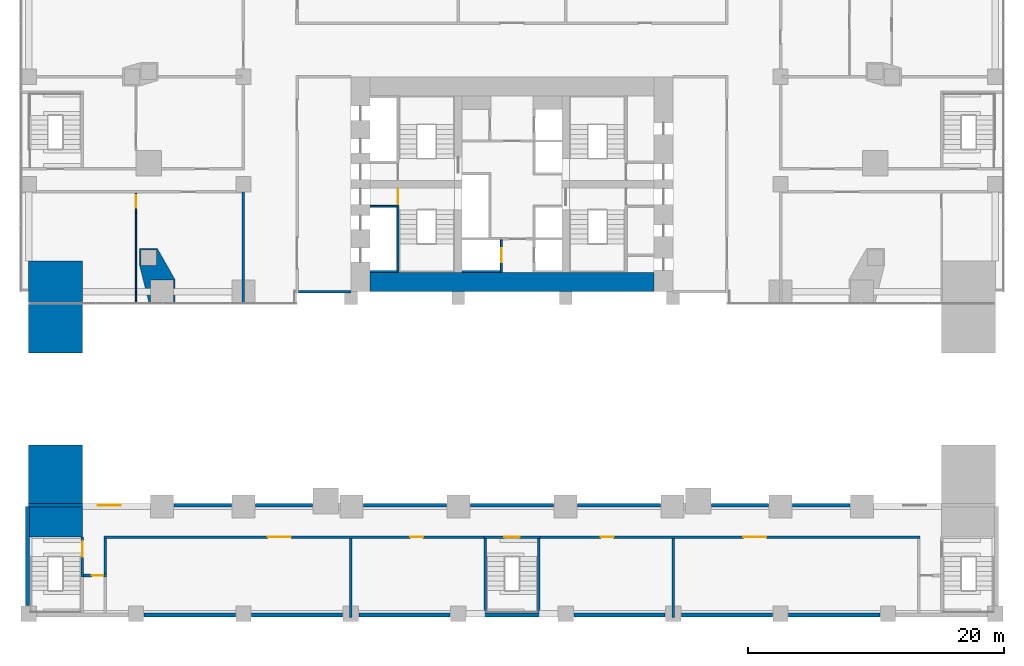
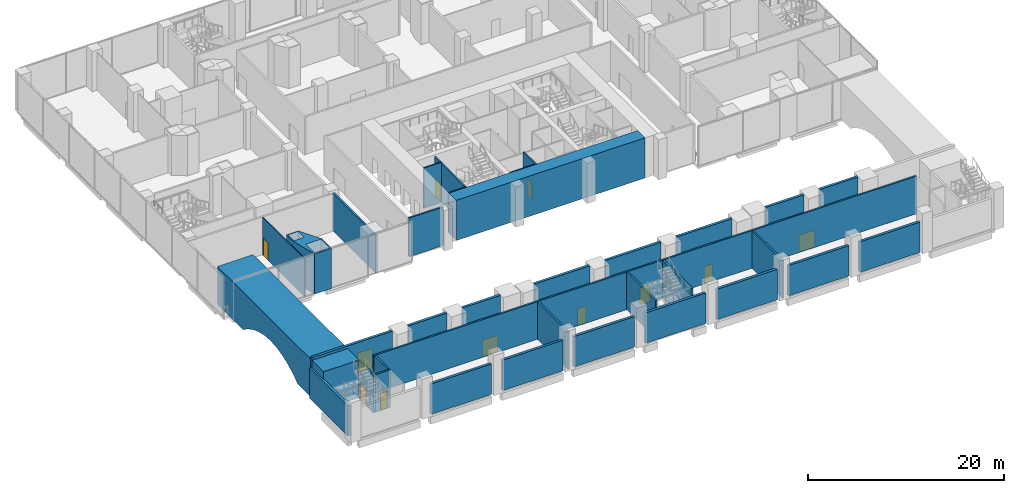
# One storey, part 16 of 28: 37 walls, 10 doors, 1 window, 11 openings.
"""IFC4 building model written with IfcOpenShell, lengths in metres."""

import ifcopenshell
import ifcopenshell.guid

model = None  # the IFC model being written
_history = None  # IfcOwnerHistory: only IFC2X3 demands one
_inside = {}  # id of a spatial element -> (the spatial element, [elements in it])
_under = {}  # id of a project, library or spatial element -> (it, [spatial elements below it])
_declared = {}  # id of a project -> (the project, [libraries it declares])
_typed = {}  # id of a type object -> (the type object, [elements of that type])
_made_of = {}  # id of a material, layer set ... -> (it, [elements and type objects made of it])


def new_model(schema):
    """Start an empty IFC model of exactly this schema.

    Asked for "IFC4X3", IfcOpenShell would pick the latest addendum, in which some entities
    have other attributes; the version numbers below select the first issue.
    IFC2X3 requires an IfcOwnerHistory on every rooted entity: one is made here for all.
    """
    global model, _history
    if schema == "IFC4X3":
        model = ifcopenshell.file(schema_version=(4, 3, 0, 0))
    else:
        model = ifcopenshell.file(schema=schema)
    _inside.clear()
    _under.clear()
    _declared.clear()
    _typed.clear()
    _made_of.clear()
    _history = None
    if model.schema == "IFC2X3":
        org = make("IfcOrganization", Name="unknown")
        user = make(
            "IfcPersonAndOrganization",
            ThePerson=make("IfcPerson", FamilyName="unknown"),
            TheOrganization=org,
        )
        app = make(
            "IfcApplication",
            ApplicationDeveloper=org,
            Version="unknown",
            ApplicationFullName="unknown",
            ApplicationIdentifier="unknown",
        )
        _history = make(
            "IfcOwnerHistory",
            OwningUser=user,
            OwningApplication=app,
            ChangeAction="ADDED",
            CreationDate=0,
        )
    return model


def make(cls, **values):
    """One entity of the class cls with the attributes given. An attribute that is None is left unset."""
    return model.create_entity(
        cls, **{name: value for name, value in values.items() if value is not None}
    )


def rooted(cls, **values):
    """An entity with a GlobalId (a new one), such as an element, a storey or a relation."""
    return make(cls, GlobalId=ifcopenshell.guid.new(), OwnerHistory=_history, **values)


def si_unit(unit_type, name, prefix=None):
    """IfcSIUnit, for example si_unit("LENGTHUNIT", "METRE", prefix="MILLI")."""
    return make("IfcSIUnit", UnitType=unit_type, Prefix=prefix, Name=name)


def assignment(units):
    """IfcUnitAssignment: the units of a project."""
    return None if units is None else make("IfcUnitAssignment", Units=units)


def point(xyz):
    """IfcCartesianPoint."""
    return None if xyz is None else make("IfcCartesianPoint", Coordinates=xyz)


def direction(xyz):
    """IfcDirection."""
    return None if xyz is None else make("IfcDirection", DirectionRatios=xyz)


def frame(location, z_axis=None, x_axis=None):
    """IfcAxis2Placement3D, a coordinate frame: its origin and axes. An axis left out is left unset."""
    return make(
        "IfcAxis2Placement3D",
        Location=point(location),
        Axis=direction(z_axis),
        RefDirection=direction(x_axis),
    )


def frame_2d(location, x_axis=None):
    """IfcAxis2Placement2D, a coordinate frame in the plane: its origin and x axis."""
    return make(
        "IfcAxis2Placement2D", Location=point(location), RefDirection=direction(x_axis)
    )


def origin():
    """The frame at (0, 0, 0) with its axes left unset."""
    return frame((0.0, 0.0, 0.0))


def place(relative_to, where):
    """IfcLocalPlacement: puts the frame where relative to a parent placement (None: the world)."""
    return make(
        "IfcLocalPlacement", PlacementRelTo=relative_to, RelativePlacement=where
    )


def context(
    kind, dimensions, precision=None, world=None, true_north=None, identifier=None
):
    """IfcGeometricRepresentationContext, for example the 3D "Model" context."""
    return make(
        "IfcGeometricRepresentationContext",
        ContextIdentifier=identifier,
        ContextType=kind,
        CoordinateSpaceDimension=dimensions,
        Precision=precision,
        WorldCoordinateSystem=world,
        TrueNorth=true_north,
    )


def subcontext(parent, identifier, kind, view, scale=None):
    """IfcGeometricRepresentationSubContext, for example "Body" below "Model"."""
    return make(
        "IfcGeometricRepresentationSubContext",
        ContextIdentifier=identifier,
        ContextType=kind,
        ParentContext=parent,
        TargetScale=scale,
        TargetView=view,
    )


def project(units=None, contexts=None):
    """IfcProject with its units and contexts."""
    return rooted(
        "IfcProject",
        Name="project",
        RepresentationContexts=contexts,
        UnitsInContext=assignment(units),
    )


def spatial(cls, under=None, at=None, **own):
    """A site, building, storey or space (cls), placed at a placement, below another one or the project."""
    s = rooted(cls, ObjectPlacement=at, **own)
    if under is not None:
        _under.setdefault(under.id(), (under, []))[1].append(s)
    return s


def polyline(points):
    """IfcPolyline through the points."""
    return make("IfcPolyline", Points=[point(p) for p in points])


def profile(cls, at=None, kind="AREA", **sizes):
    """A parametric profile (cls). Its sizes go by their IFC names, for example OverallWidth=200.0."""
    return make(cls, ProfileType=kind, Position=at, **sizes)


def rectangle(**sizes):
    """IfcRectangleProfileDef."""
    return profile("IfcRectangleProfileDef", **sizes)


def outline(outer, holes=None, kind="AREA"):
    """IfcArbitraryClosedProfileDef: a profile drawn as a closed curve; with holes, ...WithVoids."""
    if holes is None:
        return make("IfcArbitraryClosedProfileDef", ProfileType=kind, OuterCurve=outer)
    return make(
        "IfcArbitraryProfileDefWithVoids",
        ProfileType=kind,
        OuterCurve=outer,
        InnerCurves=holes,
    )


def extrude(swept, where, along, depth):
    """IfcExtrudedAreaSolid: the profile swept, set in the frame where, extruded along a direction by depth."""
    return make(
        "IfcExtrudedAreaSolid",
        SweptArea=swept,
        Position=where,
        ExtrudedDirection=direction(along),
        Depth=depth,
    )


def shape(context_of_items, identifier, shape_type, items):
    """IfcShapeRepresentation: the items that make up one representation, for example the "Body"."""
    return make(
        "IfcShapeRepresentation",
        ContextOfItems=context_of_items,
        RepresentationIdentifier=identifier,
        RepresentationType=shape_type,
        Items=items,
    )


def material(Name=None, Category=None):
    """IfcMaterial."""
    return make("IfcMaterial", Name=Name, Category=Category)


def layer(
    of_material, thickness, ventilated=None, Name=None, Category=None, Priority=None
):
    """IfcMaterialLayer: one layer of a wall or slab, of a material (None: an air gap)."""
    return make(
        "IfcMaterialLayer",
        Material=of_material,
        LayerThickness=thickness,
        IsVentilated=ventilated,
        Name=Name,
        Category=Category,
        Priority=Priority,
    )


def layer_set(layers, Name=None):
    """IfcMaterialLayerSet."""
    return make("IfcMaterialLayerSet", MaterialLayers=layers, LayerSetName=Name)


def made_of(thing, what):
    """Note that an element or type object is made of a material, layer set ...; save() writes the relation."""
    if what is not None:
        _made_of.setdefault(what.id(), (what, []))[1].append(thing)
    return thing


def type_object(cls, material=None, **own):
    """A type object (cls), such as IfcWallType, which elements share."""
    return made_of(rooted(cls, **own), material)


def element(
    cls,
    number,
    at=None,
    inside=None,
    cuts=None,
    type_object=None,
    material=None,
    context=None,
    identifier="Body",
    shape_type=None,
    held_by="IfcProductDefinitionShape",
    body=None,
    shapes=None,
    **own,
):
    """One element of the class cls, such as IfcWall. Its Tag is "e" and its number.

    at: its placement. inside: the storey or other place that contains it. cuts: it is an
    opening in that element (IfcRelVoidsElement). A single representation is given by context,
    identifier, shape_type and body (its items); several are given by shapes. held_by: the class
    of the entity that holds the representations. save() writes the other relations.
    """
    e = rooted(cls, Tag="e%d" % number, ObjectPlacement=at, **own)
    if body is not None:
        shapes = [shape(context, identifier, shape_type, body)]
    if shapes is not None:
        e.Representation = make(held_by, Representations=shapes)
    if inside is not None:
        _inside.setdefault(inside.id(), (inside, []))[1].append(e)
    if cuts is not None:
        rooted(
            "IfcRelVoidsElement", RelatingBuildingElement=cuts, RelatedOpeningElement=e
        )
    if type_object is not None:
        _typed.setdefault(type_object.id(), (type_object, []))[1].append(e)
    return made_of(e, material)


def fill(opening, filler):
    """IfcRelFillsElement: the door or window that sits in an opening."""
    return rooted(
        "IfcRelFillsElement",
        RelatingOpeningElement=opening,
        RelatedBuildingElement=filler,
    )


def aggregate(whole, parts):
    """IfcRelAggregates: a whole, such as a stair, and the parts it consists of."""
    return rooted("IfcRelAggregates", RelatingObject=whole, RelatedObjects=parts)


def save(model, path):
    """Write the relations noted so far, then the file.

    IfcRelAggregates (storeys below a building ...), IfcRelContainedInSpatialStructure (elements
    in a storey), IfcRelDefinesByType, IfcRelAssociatesMaterial and IfcRelDeclares: one each for
    every whole, place, type object, material and project.
    """
    for whole, parts in _under.values():
        aggregate(whole, parts)
    for where, things in _inside.values():
        rooted(
            "IfcRelContainedInSpatialStructure",
            RelatedElements=things,
            RelatingStructure=where,
        )
    for kind, things in _typed.values():
        rooted("IfcRelDefinesByType", RelatedObjects=things, RelatingType=kind)
    for what, things in _made_of.values():
        rooted("IfcRelAssociatesMaterial", RelatedObjects=things, RelatingMaterial=what)
    for by, libraries in _declared.values():
        rooted("IfcRelDeclares", RelatingContext=by, RelatedDefinitions=libraries)
    model.write(path)


model = new_model("IFC4")

# Units and contexts
model_context = context("Model", 3, precision=1e-05, world=origin(), true_north=direction((0.0, 1.0)))
body_context = subcontext(model_context, "Body", "Model", "MODEL_VIEW")
ifc_project = project(units=[si_unit("LENGTHUNIT", "METRE"), si_unit("AREAUNIT", "SQUARE_METRE"), si_unit("VOLUMEUNIT", "CUBIC_METRE"), si_unit("PLANEANGLEUNIT", "RADIAN"), si_unit("MASSUNIT", "GRAM", prefix="KILO")], contexts=[model_context])

# Site, building, storey
site_placement = place(None, origin())
site = spatial("IfcSite", under=ifc_project, at=site_placement, CompositionType="ELEMENT")
building_placement = place(site_placement, origin())
building = spatial("IfcBuilding", under=site, at=building_placement, Name="Marenta Gate Hotel Tower", CompositionType="ELEMENT")
storey_placement = place(building_placement, frame((0.0, 0.0, 26.0)))
storey = spatial("IfcBuildingStorey", under=building, at=storey_placement, Name="L04", CompositionType="ELEMENT", Elevation=26.0)

# Walls
ifc_material_1 = material(Name="Concrete C40 board-marked", Category="concrete")
ifc_layer_1 = layer(ifc_material_1, 0.300048828125)
ifc_layer_set_1 = layer_set([ifc_layer_1], Name="Concrete C40 board-marked")
wall_type_1 = type_object("IfcWallType", Name="Board-marked concrete wall 300 mm", PredefinedType="NOTDEFINED", material=ifc_layer_set_1)
for number, where, z_axis, x_axis, name in (
    (1, (-28.760009765625, -25.2900390625, 0.0), (0.0, 0.0, 1.0), (1.0, 0.0, 0.0), "L04-CLD-SB-S001"),
    (2, (-20.360107421875, -25.2900390625, 0.0), (0.0, 0.0, 1.0), (1.0, 0.0, 0.0), "L04-CLD-SB-S002"),
):
    element("IfcWall", number, at=place(storey_placement, frame(where, z_axis=z_axis, x_axis=x_axis)), inside=storey, type_object=wall_type_1, Name=name, PredefinedType="NOTDEFINED", context=body_context, shape_type="SweptSolid", body=[
        extrude(rectangle(XDim=7.1201171875, YDim=0.300048828125, at=frame_2d((3.56005859375, 0.0))), origin(), (0.0, 0.0, 1.0), 3.780029296875),
    ])
wall_1_placement = place(storey_placement, frame((-11.9599609375, -25.2900390625, 0.0), z_axis=(0.0, 0.0, 1.0), x_axis=(1.0, 0.0, 0.0)))
element("IfcWall", 3, at=wall_1_placement, inside=storey, type_object=wall_type_1, Name="L04-CLD-SB-S003", PredefinedType="NOTDEFINED", context=body_context, shape_type="SweptSolid", body=[
    extrude(rectangle(XDim=7.119873046875, YDim=0.300048828125, at=frame_2d((3.56005859375, 0.0))), origin(), (0.0, 0.0, 1.0), 3.780029296875),
])
wall_2_placement = place(storey_placement, frame((-3.56005859375, -25.2900390625, 0.0), z_axis=(0.0, 0.0, 1.0), x_axis=(1.0, 0.0, 0.0)))
element("IfcWall", 4, at=wall_2_placement, inside=storey, type_object=wall_type_1, Name="L04-CLD-SB-S004", PredefinedType="NOTDEFINED", context=body_context, shape_type="SweptSolid", body=[
    extrude(rectangle(XDim=7.1201171875, YDim=0.300048828125, at=frame_2d((3.56005859375, 0.0))), origin(), (0.0, 0.0, 1.0), 3.780029296875),
])
wall_3_placement = place(storey_placement, frame((4.840087890625, -25.2900390625, 0.0), z_axis=(0.0, 0.0, 1.0), x_axis=(1.0, 0.0, 0.0)))
element("IfcWall", 5, at=wall_3_placement, inside=storey, type_object=wall_type_1, Name="L04-CLD-SB-S005", PredefinedType="NOTDEFINED", context=body_context, shape_type="SweptSolid", body=[
    extrude(rectangle(XDim=7.119873046875, YDim=0.300048828125, at=frame_2d((3.56005859375, 0.0))), origin(), (0.0, 0.0, 1.0), 3.780029296875),
])
for number, where, z_axis, x_axis, name in (
    (6, (13.239990234375, -25.2900390625, 0.0), (0.0, 0.0, 1.0), (1.0, 0.0, 0.0), "L04-CLD-SB-S006"),
    (7, (21.639892578125, -25.2900390625, 0.0), (0.0, 0.0, 1.0), (1.0, 0.0, 0.0), "L04-CLD-SB-S007"),
):
    element("IfcWall", number, at=place(storey_placement, frame(where, z_axis=z_axis, x_axis=x_axis)), inside=storey, type_object=wall_type_1, Name=name, PredefinedType="NOTDEFINED", context=body_context, shape_type="SweptSolid", body=[
        extrude(rectangle(XDim=7.1201171875, YDim=0.300048828125, at=frame_2d((3.56005859375, 0.0))), origin(), (0.0, 0.0, 1.0), 3.780029296875),
    ])
wall_4_placement = place(storey_placement, frame((26.423095703125, -16.7099609375, 0.0), z_axis=(0.0, 0.0, 1.0), x_axis=(-1.0, 0.0, 0.0)))
element("IfcWall", 8, at=wall_4_placement, inside=storey, type_object=wall_type_1, Name="L04-CLD-SB-N001", PredefinedType="NOTDEFINED", context=body_context, shape_type="SweptSolid", body=[
    extrude(rectangle(XDim=4.483154296875, YDim=0.300048828125, at=frame_2d((2.24169921875, 0.0))), origin(), (0.0, 0.0, 1.0), 5.0),
])
wall_5_placement = place(storey_placement, frame((20.06005859375, -16.7099609375, 0.0), z_axis=(0.0, 0.0, 1.0), x_axis=(-1.0, 0.0, 0.0)))
element("IfcWall", 9, at=wall_5_placement, inside=storey, type_object=wall_type_1, Name="L04-CLD-SB-N002", PredefinedType="NOTDEFINED", context=body_context, shape_type="SweptSolid", body=[
    extrude(rectangle(XDim=4.453857421875, YDim=0.300048828125, at=frame_2d((2.22705078125, 0.0))), origin(), (0.0, 0.0, 1.0), 5.0),
])
wall_6_placement = place(storey_placement, frame((11.606201171875, -16.7099609375, 0.0), z_axis=(0.0, 0.0, 1.0), x_axis=(-1.0, 0.0, 0.0)))
element("IfcWall", 10, at=wall_6_placement, inside=storey, type_object=wall_type_1, Name="L04-CLD-SB-N003", PredefinedType="NOTDEFINED", context=body_context, shape_type="SweptSolid", body=[
    extrude(rectangle(XDim=6.46630859375, YDim=0.300048828125, at=frame_2d((3.233154296875, 0.0))), origin(), (0.0, 0.0, 1.0), 5.0),
])
wall_7_placement = place(storey_placement, frame((3.260009765625, -16.7099609375, 0.0), z_axis=(0.0, 0.0, 1.0), x_axis=(-1.0, 0.0, 0.0)))
element("IfcWall", 11, at=wall_7_placement, inside=storey, type_object=wall_type_1, Name="L04-CLD-SB-N004", PredefinedType="NOTDEFINED", context=body_context, shape_type="SweptSolid", body=[
    extrude(rectangle(XDim=6.52001953125, YDim=0.300048828125, at=frame_2d((3.260009765625, 0.0))), origin(), (0.0, 0.0, 1.0), 5.0),
])
wall_8_placement = place(storey_placement, frame((-5.139892578125, -16.7099609375, 0.0), z_axis=(0.0, 0.0, 1.0), x_axis=(-1.0, 0.0, 0.0)))
element("IfcWall", 12, at=wall_8_placement, inside=storey, type_object=wall_type_1, Name="L04-CLD-SB-N005", PredefinedType="NOTDEFINED", context=body_context, shape_type="SweptSolid", body=[
    extrude(rectangle(XDim=6.46630859375, YDim=0.300048828125, at=frame_2d((3.233154296875, 0.0))), origin(), (0.0, 0.0, 1.0), 5.0),
])
wall_9_placement = place(storey_placement, frame((-15.606201171875, -16.7099609375, 0.0), z_axis=(0.0, 0.0, 1.0), x_axis=(-1.0, 0.0, 0.0)))
element("IfcWall", 13, at=wall_9_placement, inside=storey, type_object=wall_type_1, Name="L04-CLD-SB-N006", PredefinedType="NOTDEFINED", context=body_context, shape_type="SweptSolid", body=[
    extrude(rectangle(XDim=4.453857421875, YDim=0.300048828125, at=frame_2d((2.22705078125, 0.0))), origin(), (0.0, 0.0, 1.0), 5.0),
])
wall_10_placement = place(storey_placement, frame((-21.93994140625, -16.7099609375, 0.0), z_axis=(0.0, 0.0, 1.0), x_axis=(-1.0, 0.0, 0.0)))
element("IfcWall", 14, at=wall_10_placement, inside=storey, type_object=wall_type_1, Name="L04-CLD-SB-N007", PredefinedType="NOTDEFINED", context=body_context, shape_type="SweptSolid", body=[
    extrude(rectangle(XDim=4.483154296875, YDim=0.300048828125, at=frame_2d((2.24169921875, 0.0))), origin(), (0.0, 0.0, 1.0), 5.0),
])

# Wall, opening, window
wall_11_placement = place(storey_placement, frame((-28.302978515625, -16.7099609375, 0.0), z_axis=(0.0, 0.0, 1.0), x_axis=(-1.0, 0.0, 0.0)))
wall_11 = element("IfcWall", 15, at=wall_11_placement, inside=storey, type_object=wall_type_1, Name="L04-CLD-SB-N008", PredefinedType="NOTDEFINED", context=body_context, shape_type="SweptSolid", body=[
    extrude(rectangle(XDim=9.4970703125, YDim=0.300048828125, at=frame_2d((4.74853515625, 0.0))), origin(), (0.0, 0.0, 1.0), 5.0),
])
opening_1_placement = place(wall_11_placement, frame((2.297119140625, 0.0, 1.199951171875)))
opening_1 = element("IfcOpeningElement", 16, at=opening_1_placement, cuts=wall_11, Name="Opening W5", PredefinedType="OPENING", context=body_context, shape_type="SweptSolid", body=[
    extrude(rectangle(XDim=1.800048828125, YDim=2.39990234375, at=frame_2d((0.89990234375, 1.199951171875))), frame((0.0, 0.14990234375, 0.0), z_axis=(0.0, -1.0, 0.0), x_axis=(1.0, 0.0, 0.0)), (0.0, 0.0, 1.0), 0.300048828125),
])
ifc_material_2 = material(Name="Tinted insulated glass in bronze anodised frame", Category="glass")
window_type = type_object("IfcWindowType", Name="Window W5 1800x2400 bronze frame", PartitioningType="SINGLE_PANEL", PredefinedType="WINDOW", material=ifc_material_2)
window_placement = place(opening_1_placement, origin())
window = element("IfcWindow", 17, at=window_placement, inside=storey, type_object=window_type, Name="Window W5", OverallHeight=2.39990234375, OverallWidth=1.800048828125, PartitioningType="SINGLE_PANEL", PredefinedType="WINDOW", context=body_context, shape_type="SweptSolid", body=[
    extrude(rectangle(XDim=1.800048828125, YDim=2.39990234375, at=frame_2d((0.89990234375, 1.199951171875))), frame((0.0, 0.030029296875, 0.0), z_axis=(0.0, -1.0, 0.0), x_axis=(1.0, 0.0, 0.0)), (0.0, 0.0, 1.0), 0.06005859375),
])
fill(opening_1, window)

# Walls
wall_12_placement = place(storey_placement, frame((-37.889892578125, -16.800048828125, 0.0), z_axis=(0.0, 0.0, 1.0), x_axis=(0.0, -1.0, 0.0)))
element("IfcWall", 18, at=wall_12_placement, inside=storey, type_object=wall_type_1, Name="L04-CLD-SB-W000", PredefinedType="NOTDEFINED", context=body_context, shape_type="SweptSolid", body=[
    extrude(rectangle(XDim=7.760009765625, YDim=0.300048828125, at=frame_2d((3.8798828125, 0.0))), origin(), (0.0, 0.0, 1.0), 3.780029296875),
])
ifc_material_3 = material(Name="Concrete blockwork", Category="masonry")
ifc_layer_2 = layer(ifc_material_3, 0.199951171875)
ifc_layer_set_2 = layer_set([ifc_layer_2], Name="Concrete blockwork")
wall_type_2 = type_object("IfcWallType", Name="Core boundary wall 200 REI 180", PredefinedType="PARTITIONING", material=ifc_layer_set_2)
wall_13_placement = place(storey_placement, frame((-16.699951171875, 0.0, 0.0), z_axis=(0.0, 0.0, 1.0), x_axis=(1.0, 0.0, 0.0)))
element("IfcWall", 19, at=wall_13_placement, inside=storey, type_object=wall_type_2, Name="L04-CP-EW-WS", PredefinedType="PARTITIONING", context=body_context, shape_type="SweptSolid", body=[
    extrude(rectangle(XDim=4.099853515625, YDim=0.199951171875, at=frame_2d((2.0498046875, 0.0))), origin(), (0.0, 0.0, 1.0), 4.800048828125),
])
ifc_material_4 = material(Name="Concrete C40", Category="concrete")
ifc_layer_3 = layer(ifc_material_4, 0.14990234375)
ifc_layer_set_3 = layer_set([ifc_layer_3], Name="Concrete C40")
wall_type_3 = type_object("IfcWallType", Name="Core shaft wall 150 REI 180", PredefinedType="SHEAR", material=ifc_layer_set_3)
for number, where, z_axis, x_axis, name in (
    (20, (-11.10009765625, 6.675048828125, 0.0), (0.0, 0.0, 1.0), (1.0, 0.0, 0.0), "L04-SHF-SW-WS-2"),
    (21, (-11.10009765625, 1.574951171875, 0.0), (0.0, 0.0, 1.0), (1.0, 0.0, 0.0), "L04-SHF-SW-WS-5"),
):
    element("IfcWall", number, at=place(storey_placement, frame(where, z_axis=z_axis, x_axis=x_axis)), inside=storey, type_object=wall_type_3, Name=name, PredefinedType="SHEAR", context=body_context, shape_type="SweptSolid", body=[
        extrude(rectangle(XDim=2.10009765625, YDim=0.14990234375, at=frame_2d((1.050048828125, 0.0))), origin(), (0.0, 0.0, 1.0), 5.0),
    ])

# Wall, opening, door
wall_14_placement = place(storey_placement, frame((-0.824951171875, 1.5, 0.0), z_axis=(0.0, 0.0, 1.0), x_axis=(0.0, 1.0, 0.0)))
wall_14 = element("IfcWall", 22, at=wall_14_placement, inside=storey, type_object=wall_type_3, Name="L04-SHF-CW-W-ff", PredefinedType="SHEAR", context=body_context, shape_type="SweptSolid", body=[
    extrude(rectangle(XDim=2.550048828125, YDim=0.14990234375, at=frame_2d((1.27490234375, 0.0))), origin(), (0.0, 0.0, 1.0), 5.0),
])
opening_2_placement = place(wall_14_placement, frame((0.800048828125, 0.0, 0.0)))
opening_2 = element("IfcOpeningElement", 23, at=opening_2_placement, cuts=wall_14, Name="Opening LD-FF1", PredefinedType="OPENING", context=body_context, shape_type="SweptSolid", body=[
    extrude(rectangle(XDim=1.10009765625, YDim=2.10009765625, at=frame_2d((0.550048828125, 1.050048828125))), frame((0.0, 0.074951171875, 0.0), z_axis=(0.0, -1.0, 0.0), x_axis=(1.0, 0.0, 0.0)), (0.0, 0.0, 1.0), 0.14990234375),
])
ifc_material_5 = material(Name="Steel", Category="steel")
door_type_1 = type_object("IfcDoorType", Name="Core lift landing door 1100x2100 E 60", OperationType="SLIDING_TO_LEFT", PredefinedType="DOOR", material=ifc_material_5)
door_1_placement = place(opening_2_placement, origin())
door_1 = element("IfcDoor", 24, at=door_1_placement, inside=storey, type_object=door_type_1, Name="LD-FF1", OperationType="SLIDING_TO_LEFT", OverallHeight=2.10009765625, OverallWidth=1.10009765625, PredefinedType="DOOR", context=body_context, shape_type="SweptSolid", body=[
    extrude(rectangle(XDim=1.10009765625, YDim=2.10009765625, at=frame_2d((0.550048828125, 1.050048828125))), frame((0.0, 0.02490234375, 0.0), z_axis=(0.0, -1.0, 0.0), x_axis=(1.0, 0.0, 0.0)), (0.0, 0.0, 1.0), 0.050048828125),
])
fill(opening_2, door_1)

# Wall
wall_15_placement = place(storey_placement, frame((-3.89990234375, 1.574951171875, 0.0), z_axis=(0.0, 0.0, 1.0), x_axis=(1.0, 0.0, 0.0)))
element("IfcWall", 25, at=wall_15_placement, inside=storey, type_object=wall_type_3, Name="L04-SHF-CW-W-ffs", PredefinedType="SHEAR", context=body_context, shape_type="SweptSolid", body=[
    extrude(rectangle(XDim=3.0, YDim=0.14990234375, at=frame_2d((1.5, 0.0))), origin(), (0.0, 0.0, 1.0), 5.0),
])

# Wall, opening, door
ifc_material_6 = material(Name="Concrete C40", Category="concrete")
ifc_layer_4 = layer(ifc_material_6, 0.14990234375)
ifc_layer_set_4 = layer_set([ifc_layer_4], Name="Concrete C40")
wall_type_4 = type_object("IfcWallType", Name="Core stair enclosure wall 150 REI 180", PredefinedType="SHEAR", material=ifc_layer_set_4)
wall_16_placement = place(storey_placement, frame((-8.925048828125, 1.5, 0.0), z_axis=(0.0, 0.0, 1.0), x_axis=(0.0, 1.0, 0.0)))
wall_16 = element("IfcWall", 26, at=wall_16_placement, inside=storey, type_object=wall_type_4, Name="L04-SHF-SW-WS-3", PredefinedType="SHEAR", context=body_context, shape_type="SweptSolid", body=[
    extrude(rectangle(XDim=6.60009765625, YDim=0.14990234375, at=frame_2d((3.300048828125, 0.0))), origin(), (0.0, 0.0, 1.0), 4.800048828125),
])
opening_3_placement = place(wall_16_placement, frame((5.324951171875, 0.0, 0.0)))
opening_3 = element("IfcOpeningElement", 27, at=opening_3_placement, cuts=wall_16, Name="Opening SD-WS", PredefinedType="OPENING", context=body_context, shape_type="SweptSolid", body=[
    extrude(rectangle(XDim=1.199951171875, YDim=2.10009765625, at=frame_2d((0.60009765625, 1.050048828125))), frame((0.0, 0.074951171875, 0.0), z_axis=(0.0, -1.0, 0.0), x_axis=(1.0, 0.0, 0.0)), (0.0, 0.0, 1.0), 0.14990234375),
])
ifc_material_7 = material(Name="Steel", Category="steel")
door_type_2 = type_object("IfcDoorType", Name="Core stair door 1200x2100 FD60", OperationType="SINGLE_SWING_LEFT", PredefinedType="DOOR", material=ifc_material_7)
door_2_placement = place(opening_3_placement, origin())
door_2 = element("IfcDoor", 28, at=door_2_placement, inside=storey, type_object=door_type_2, Name="SD-WS", OperationType="SINGLE_SWING_LEFT", OverallHeight=2.10009765625, OverallWidth=1.199951171875, PredefinedType="DOOR", context=body_context, shape_type="SweptSolid", body=[
    extrude(rectangle(XDim=1.199951171875, YDim=2.10009765625, at=frame_2d((0.60009765625, 1.050048828125))), frame((0.0, 0.02490234375, 0.0), z_axis=(0.0, -1.0, 0.0), x_axis=(1.0, 0.0, 0.0)), (0.0, 0.0, 1.0), 0.050048828125),
])
fill(opening_3, door_2)

# Walls
ifc_material_8 = material(Name="Concrete C80", Category="concrete")
ifc_layer_5 = layer(ifc_material_8, 1.5)
ifc_layer_set_5 = layer_set([ifc_layer_5], Name="Concrete C80")
wall_type_5 = type_object("IfcWallType", Name="Core wall 1500 C80", PredefinedType="SHEAR", material=ifc_layer_set_5)
wall_17_placement = place(storey_placement, frame((-11.10009765625, 0.75, 0.0), z_axis=(0.0, 0.0, 1.0), x_axis=(1.0, 0.0, 0.0)))
element("IfcWall", 29, at=wall_17_placement, inside=storey, type_object=wall_type_5, Name="L04-CORE-S", PredefinedType="SHEAR", context=body_context, shape_type="SweptSolid", body=[
    extrude(rectangle(XDim=22.2001953125, YDim=1.5, at=frame_2d((11.10009765625, 0.0))), origin(), (0.0, 0.0, 1.0), 5.0),
])
ifc_material_9 = material(Name="Concrete C80", Category="concrete")
ifc_layer_6 = layer(ifc_material_9, 4.199951171875)
ifc_layer_set_6 = layer_set([ifc_layer_6], Name="Concrete C80")
wall_type_6 = type_object("IfcWallType", Name="Gate spandrel wall 4200 C80", PredefinedType="SOLIDWALL", material=ifc_layer_set_6)
wall_18_placement = place(storey_placement, frame((-37.800048828125, 2.39990234375, 0.0), z_axis=(-1.0, 0.0, 0.0), x_axis=(0.0, -1.0, 0.0)))
element("IfcWall", 30, at=wall_18_placement, inside=storey, type_object=wall_type_6, Name="PW2 L04-PWL-WG5", PredefinedType="SOLIDWALL", context=body_context, shape_type="SweptSolid", body=[
    extrude(outline(polyline([(0.0, 0.0), (5.278564453125, 0.0), (6.0, 0.541259765625), (7.199951171875, 1.19921875), (8.39990234375, 1.64990234375), (9.599853515625, 1.913330078125), (10.7998046875, 2.0), (12.0, 1.913330078125), (13.199951171875, 1.64990234375), (14.39990234375, 1.19921875), (15.599853515625, 0.541259765625), (16.3212890625, 0.0), (21.599853515625, 0.0), (21.599853515625, 4.679931640625), (0.0, 4.679931640625), (0.0, 0.0)])), origin(), (0.0, 0.0, -1.0), 4.199951171875),
])
ifc_material_10 = material(Name="Concrete C70", Category="concrete")
ifc_layer_7 = layer(ifc_material_10, 1.60009765625)
ifc_layer_set_7 = layer_set([ifc_layer_7], Name="Concrete C70")
wall_type_7 = type_object("IfcWallType", Name="Pier wall board-marked concrete C70", PredefinedType="SOLIDWALL", material=ifc_layer_set_7)
wall_19_placement = place(storey_placement, origin())
element("IfcWall", 31, at=wall_19_placement, inside=storey, type_object=wall_type_7, Name="L04-PIER-1", PredefinedType="SOLIDWALL", context=body_context, shape_type="SweptSolid", body=[
    extrude(outline(polyline([(-29.1201171875, 2.034423828125), (-29.1201171875, 3.369140625), (-27.730224609375, 3.369140625), (-26.343017578125, 0.931640625), (-26.343017578125, -1.02001953125), (-28.356689453125, -1.02001953125), (-29.1201171875, 2.034423828125)]), holes=[polyline([(-28.262939453125, -0.89990234375), (-26.462890625, -0.89990234375), (-26.462890625, 0.89990234375), (-28.262939453125, 0.89990234375), (-28.262939453125, -0.89990234375)]), polyline([(-29.0, 2.049072265625), (-27.800048828125, 2.049072265625), (-27.800048828125, 3.2490234375), (-29.0, 3.2490234375), (-29.0, 2.049072265625)])]), origin(), (0.0, 0.0, 1.0), 5.0),
])

# Wall, openings, doors
ifc_material_11 = material(Name="Gypsum board on steel stud", Category="steel")
ifc_layer_8 = layer(ifc_material_11, 0.199951171875)
ifc_layer_set_8 = layer_set([ifc_layer_8], Name="Gypsum board on steel stud")
wall_type_8 = type_object("IfcWallType", Name="Room corridor wall 200 EI 60", PredefinedType="PARTITIONING", material=ifc_layer_set_8)
wall_20_placement = place(storey_placement, frame((-31.89990234375, -19.199951171875, 0.0), z_axis=(0.0, 0.0, 1.0), x_axis=(1.0, 0.0, 0.0)))
wall_20 = element("IfcWall", 32, at=wall_20_placement, inside=storey, type_object=wall_type_8, Name="L04-PTN-W016", PredefinedType="PARTITIONING", context=body_context, shape_type="SweptSolid", body=[
    extrude(rectangle(XDim=29.699951171875, YDim=0.199951171875, at=frame_2d((14.85009765625, 0.0))), origin(), (0.0, 0.0, 1.0), 4.679931640625),
])
opening_4_placement = place(wall_20_placement, frame((12.800048828125, 0.0, 0.0)))
opening_4 = element("IfcOpeningElement", 33, at=opening_4_placement, cuts=wall_20, Name="Opening S05-29", PredefinedType="OPENING", context=body_context, shape_type="SweptSolid", body=[
    extrude(rectangle(XDim=1.800048828125, YDim=2.10009765625, at=frame_2d((0.89990234375, 1.050048828125))), frame((0.0, 0.10009765625, 0.0), z_axis=(0.0, -1.0, 0.0), x_axis=(1.0, 0.0, 0.0)), (0.0, 0.0, 1.0), 0.199951171875),
])
opening_5_placement = place(wall_20_placement, frame((23.949951171875, 0.0, 0.0)))
opening_5 = element("IfcOpeningElement", 34, at=opening_5_placement, cuts=wall_20, Name="Opening S05-30", PredefinedType="OPENING", context=body_context, shape_type="SweptSolid", body=[
    extrude(rectangle(XDim=1.0, YDim=2.10009765625, at=frame_2d((0.5, 1.050048828125))), frame((0.0, 0.10009765625, 0.0), z_axis=(0.0, -1.0, 0.0), x_axis=(1.0, 0.0, 0.0)), (0.0, 0.0, 1.0), 0.199951171875),
])
ifc_material_12 = material(Name="Timber door leaf", Category="wood")
door_type_3 = type_object("IfcDoorType", Name="Room amenity door 1000x2100 EI 30", OperationType="NOTDEFINED", PredefinedType="DOOR", material=ifc_material_12)
door_3_placement = place(opening_5_placement, origin())
door_3 = element("IfcDoor", 35, at=door_3_placement, inside=storey, type_object=door_type_3, Name="L04-PD-D030", OperationType="SINGLE_SWING_RIGHT", OverallHeight=2.10009765625, OverallWidth=1.0, PredefinedType="DOOR", context=body_context, shape_type="SweptSolid", body=[
    extrude(rectangle(XDim=1.0, YDim=2.10009765625, at=frame_2d((0.5, 1.050048828125))), frame((0.0, 0.02490234375, 0.0), z_axis=(0.0, -1.0, 0.0), x_axis=(1.0, 0.0, 0.0)), (0.0, 0.0, 1.0), 0.050048828125),
])
fill(opening_5, door_3)
ifc_material_13 = material(Name="Timber door leaf", Category="wood")
door_type_4 = type_object("IfcDoorType", Name="Room amenity door 1800x2100 EI 30", OperationType="DOUBLE_DOOR_SINGLE_SWING", PredefinedType="DOOR", material=ifc_material_13)
door_4_placement = place(opening_4_placement, origin())
door_4 = element("IfcDoor", 36, at=door_4_placement, inside=storey, type_object=door_type_4, Name="L04-PD-D029", OperationType="DOUBLE_DOOR_SINGLE_SWING", OverallHeight=2.10009765625, OverallWidth=1.800048828125, PredefinedType="DOOR", context=body_context, shape_type="SweptSolid", body=[
    extrude(rectangle(XDim=1.800048828125, YDim=2.10009765625, at=frame_2d((0.89990234375, 1.050048828125))), frame((0.0, 0.02490234375, 0.0), z_axis=(0.0, -1.0, 0.0), x_axis=(1.0, 0.0, 0.0)), (0.0, 0.0, 1.0), 0.050048828125),
])
fill(opening_4, door_4)

wall_21_placement = place(storey_placement, frame((2.199951171875, -19.199951171875, 0.0), z_axis=(0.0, 0.0, 1.0), x_axis=(1.0, 0.0, 0.0)))
wall_21 = element("IfcWall", 37, at=wall_21_placement, inside=storey, type_object=wall_type_8, Name="L04-PTN-W017", PredefinedType="PARTITIONING", context=body_context, shape_type="SweptSolid", body=[
    extrude(rectangle(XDim=29.699951171875, YDim=0.199951171875, at=frame_2d((14.85009765625, 0.0))), origin(), (0.0, 0.0, 1.0), 4.679931640625),
])
opening_6_placement = place(wall_21_placement, frame((4.75, 0.0, 0.0)))
opening_6 = element("IfcOpeningElement", 38, at=opening_6_placement, cuts=wall_21, Name="Opening S05-31", PredefinedType="OPENING", context=body_context, shape_type="SweptSolid", body=[
    extrude(rectangle(XDim=1.0, YDim=2.10009765625, at=frame_2d((0.5, 1.050048828125))), frame((0.0, 0.10009765625, 0.0), z_axis=(0.0, -1.0, 0.0), x_axis=(1.0, 0.0, 0.0)), (0.0, 0.0, 1.0), 0.199951171875),
])
opening_7_placement = place(wall_21_placement, frame((15.89990234375, 0.0, 0.0)))
opening_7 = element("IfcOpeningElement", 39, at=opening_7_placement, cuts=wall_21, Name="Opening S05-32", PredefinedType="OPENING", context=body_context, shape_type="SweptSolid", body=[
    extrude(rectangle(XDim=1.800048828125, YDim=2.10009765625, at=frame_2d((0.89990234375, 1.050048828125))), frame((0.0, 0.10009765625, 0.0), z_axis=(0.0, -1.0, 0.0), x_axis=(1.0, 0.0, 0.0)), (0.0, 0.0, 1.0), 0.199951171875),
])
door_5_placement = place(opening_6_placement, origin())
door_5 = element("IfcDoor", 40, at=door_5_placement, inside=storey, type_object=door_type_3, Name="L04-PD-D031", OperationType="SINGLE_SWING_LEFT", OverallHeight=2.10009765625, OverallWidth=1.0, PredefinedType="DOOR", context=body_context, shape_type="SweptSolid", body=[
    extrude(rectangle(XDim=1.0, YDim=2.10009765625, at=frame_2d((0.5, 1.050048828125))), frame((0.0, 0.02490234375, 0.0), z_axis=(0.0, -1.0, 0.0), x_axis=(1.0, 0.0, 0.0)), (0.0, 0.0, 1.0), 0.050048828125),
])
fill(opening_6, door_5)
door_6_placement = place(opening_7_placement, origin())
door_6 = element("IfcDoor", 41, at=door_6_placement, inside=storey, type_object=door_type_4, Name="L04-PD-D032", OperationType="DOUBLE_DOOR_SINGLE_SWING", OverallHeight=2.10009765625, OverallWidth=1.800048828125, PredefinedType="DOOR", context=body_context, shape_type="SweptSolid", body=[
    extrude(rectangle(XDim=1.800048828125, YDim=2.10009765625, at=frame_2d((0.89990234375, 1.050048828125))), frame((0.0, 0.02490234375, 0.0), z_axis=(0.0, -1.0, 0.0), x_axis=(1.0, 0.0, 0.0)), (0.0, 0.0, 1.0), 0.050048828125),
])
fill(opening_7, door_6)

# Wall
wall_22_placement = place(storey_placement, frame((-21.0, -0.884033203125, 0.0), z_axis=(0.0, 0.0, 1.0), x_axis=(0.0, 1.0, 0.0)))
element("IfcWall", 42, at=wall_22_placement, inside=storey, type_object=wall_type_8, Name="L04-PTN-W045", PredefinedType="PARTITIONING", context=body_context, shape_type="SweptSolid", body=[
    extrude(rectangle(XDim=8.783935546875, YDim=0.199951171875, at=frame_2d((4.39208984375, 0.0))), origin(), (0.0, 0.0, 1.0), 4.679931640625),
])

# Wall, opening, door
ifc_material_14 = material(Name="Concrete blockwork", Category="masonry")
ifc_layer_9 = layer(ifc_material_14, 0.199951171875)
ifc_layer_set_9 = layer_set([ifc_layer_9], Name="Concrete blockwork")
wall_type_9 = type_object("IfcWallType", Name="Room corridor wall 200 REI 180", PredefinedType="PARTITIONING", material=ifc_layer_set_9)
wall_23_placement = place(storey_placement, frame((-33.5, -22.199951171875, 0.0), z_axis=(0.0, 0.0, 1.0), x_axis=(1.0, 0.0, 0.0)))
wall_23 = element("IfcWall", 43, at=wall_23_placement, inside=storey, type_object=wall_type_9, Name="L04-PTN-W010", PredefinedType="PARTITIONING", context=body_context, shape_type="SweptSolid", body=[
    extrude(rectangle(XDim=1.800048828125, YDim=0.199951171875, at=frame_2d((0.89990234375, 0.0))), origin(), (0.0, 0.0, 1.0), 4.679931640625),
])
opening_8_placement = place(wall_23_placement, frame((0.64990234375, 0.0, 0.0)))
opening_8 = element("IfcOpeningElement", 44, at=opening_8_placement, cuts=wall_23, Name="Opening S05-26", PredefinedType="OPENING", context=body_context, shape_type="SweptSolid", body=[
    extrude(rectangle(XDim=0.89990234375, YDim=2.10009765625, at=frame_2d((0.449951171875, 1.050048828125))), frame((0.0, 0.10009765625, 0.0), z_axis=(0.0, -1.0, 0.0), x_axis=(1.0, 0.0, 0.0)), (0.0, 0.0, 1.0), 0.199951171875),
])
ifc_material_15 = material(Name="Hollow steel door set", Category="steel")
door_type_5 = type_object("IfcDoorType", Name="Room service door 900x2100 EI 60", OperationType="NOTDEFINED", PredefinedType="DOOR", material=ifc_material_15)
door_7_placement = place(opening_8_placement, origin())
door_7 = element("IfcDoor", 45, at=door_7_placement, inside=storey, type_object=door_type_5, Name="L04-PD-D026", OperationType="SINGLE_SWING_LEFT", OverallHeight=2.10009765625, OverallWidth=0.89990234375, PredefinedType="DOOR", context=body_context, shape_type="SweptSolid", body=[
    extrude(rectangle(XDim=0.89990234375, YDim=2.10009765625, at=frame_2d((0.449951171875, 1.050048828125))), frame((0.0, 0.02490234375, 0.0), z_axis=(0.0, -1.0, 0.0), x_axis=(1.0, 0.0, 0.0)), (0.0, 0.0, 1.0), 0.050048828125),
])
fill(opening_8, door_7)

wall_24_placement = place(storey_placement, frame((-2.199951171875, -19.199951171875, 0.0), z_axis=(0.0, 0.0, 1.0), x_axis=(1.0, 0.0, 0.0)))
wall_24 = element("IfcWall", 46, at=wall_24_placement, inside=storey, type_object=wall_type_9, Name="L04-PTN-W018", PredefinedType="PARTITIONING", context=body_context, shape_type="SweptSolid", body=[
    extrude(rectangle(XDim=4.39990234375, YDim=0.199951171875, at=frame_2d((2.199951171875, 0.0))), origin(), (0.0, 0.0, 1.0), 4.679931640625),
])
opening_9_placement = place(wall_24_placement, frame((1.60009765625, 0.0, 0.0)))
opening_9 = element("IfcOpeningElement", 47, at=opening_9_placement, cuts=wall_24, Name="Opening S05-33", PredefinedType="OPENING", context=body_context, shape_type="SweptSolid", body=[
    extrude(rectangle(XDim=1.199951171875, YDim=2.10009765625, at=frame_2d((0.60009765625, 1.050048828125))), frame((0.0, 0.10009765625, 0.0), z_axis=(0.0, -1.0, 0.0), x_axis=(1.0, 0.0, 0.0)), (0.0, 0.0, 1.0), 0.199951171875),
])
ifc_material_16 = material(Name="Hollow steel door set", Category="steel")
door_type_6 = type_object("IfcDoorType", Name="Podium stair door 1200x2100 EI 60", OperationType="NOTDEFINED", PredefinedType="DOOR", material=ifc_material_16)
door_8_placement = place(opening_9_placement, origin())
door_8 = element("IfcDoor", 48, at=door_8_placement, inside=storey, type_object=door_type_6, Name="L04-PD-D033", OperationType="SINGLE_SWING_LEFT", OverallHeight=2.10009765625, OverallWidth=1.199951171875, PredefinedType="DOOR", context=body_context, shape_type="SweptSolid", body=[
    extrude(rectangle(XDim=1.199951171875, YDim=2.10009765625, at=frame_2d((0.60009765625, 1.050048828125))), frame((0.0, 0.02490234375, 0.0), z_axis=(0.0, -1.0, 0.0), x_axis=(1.0, 0.0, 0.0)), (0.0, 0.0, 1.0), 0.050048828125),
])
fill(opening_9, door_8)

# Wall
wall_25_placement = place(storey_placement, frame((-31.800048828125, -22.10009765625, 0.0), z_axis=(0.0, 0.0, 1.0), x_axis=(0.0, 1.0, 0.0)))
element("IfcWall", 49, at=wall_25_placement, inside=storey, type_object=wall_type_9, Name="L04-PTN-W063", PredefinedType="PARTITIONING", context=body_context, shape_type="SweptSolid", body=[
    extrude(rectangle(XDim=2.800048828125, YDim=0.199951171875, at=frame_2d((1.39990234375, 0.0))), origin(), (0.0, 0.0, 1.0), 4.679931640625),
])

# Wall, opening, door
wall_26_placement = place(storey_placement, frame((-33.60009765625, -22.300048828125, 0.0), z_axis=(0.0, 0.0, 1.0), x_axis=(0.0, 1.0, 0.0)))
wall_26 = element("IfcWall", 50, at=wall_26_placement, inside=storey, type_object=wall_type_9, Name="L04-PTN-W066", PredefinedType="PARTITIONING", context=body_context, shape_type="SweptSolid", body=[
    extrude(rectangle(XDim=3.10009765625, YDim=0.199951171875, at=frame_2d((1.550048828125, 0.0))), origin(), (0.0, 0.0, 1.0), 4.679931640625),
])
opening_10_placement = place(wall_26_placement, frame((1.550048828125, 0.0, 0.0)))
opening_10 = element("IfcOpeningElement", 51, at=opening_10_placement, cuts=wall_26, Name="Opening S05-25", PredefinedType="OPENING", context=body_context, shape_type="SweptSolid", body=[
    extrude(rectangle(XDim=1.199951171875, YDim=2.10009765625, at=frame_2d((0.60009765625, 1.050048828125))), frame((0.0, 0.10009765625, 0.0), z_axis=(0.0, -1.0, 0.0), x_axis=(1.0, 0.0, 0.0)), (0.0, 0.0, 1.0), 0.199951171875),
])
door_9_placement = place(opening_10_placement, origin())
door_9 = element("IfcDoor", 52, at=door_9_placement, inside=storey, type_object=door_type_6, Name="L04-PD-D025", OperationType="SINGLE_SWING_RIGHT", OverallHeight=2.10009765625, OverallWidth=1.199951171875, PredefinedType="DOOR", context=body_context, shape_type="SweptSolid", body=[
    extrude(rectangle(XDim=1.199951171875, YDim=2.10009765625, at=frame_2d((0.60009765625, 1.050048828125))), frame((0.0, 0.02490234375, 0.0), z_axis=(0.0, -1.0, 0.0), x_axis=(1.0, 0.0, 0.0)), (0.0, 0.0, 1.0), 0.050048828125),
])
fill(opening_10, door_9)

ifc_material_17 = material(Name="Gypsum board on steel stud", Category="steel")
ifc_layer_10 = layer(ifc_material_17, 0.10009765625)
ifc_layer_set_10 = layer_set([ifc_layer_10], Name="Gypsum board on steel stud")
wall_type_10 = type_object("IfcWallType", Name="Room partition 100", PredefinedType="PARTITIONING", material=ifc_layer_set_10)
wall_27_placement = place(storey_placement, frame((-29.39990234375, -0.884033203125, 0.0), z_axis=(0.0, 0.0, 1.0), x_axis=(0.0, 1.0, 0.0)))
wall_27 = element("IfcWall", 53, at=wall_27_placement, inside=storey, type_object=wall_type_10, Name="L04-PTN-W056", PredefinedType="PARTITIONING", context=body_context, shape_type="SweptSolid", body=[
    extrude(rectangle(XDim=8.583984375, YDim=0.10009765625, at=frame_2d((4.2919921875, 0.0))), origin(), (0.0, 0.0, 1.0), 4.679931640625),
])
opening_11_placement = place(wall_27_placement, frame((7.43408203125, 0.0, 0.0)))
opening_11 = element("IfcOpeningElement", 54, at=opening_11_placement, cuts=wall_27, Name="Opening S05-05", PredefinedType="OPENING", context=body_context, shape_type="SweptSolid", body=[
    extrude(rectangle(XDim=1.0, YDim=2.10009765625, at=frame_2d((0.5, 1.050048828125))), frame((0.0, 0.050048828125, 0.0), z_axis=(0.0, -1.0, 0.0), x_axis=(1.0, 0.0, 0.0)), (0.0, 0.0, 1.0), 0.10009765625),
])
ifc_material_18 = material(Name="Timber door leaf", Category="wood")
door_type_7 = type_object("IfcDoorType", Name="Room inner door 1000x2100", OperationType="NOTDEFINED", PredefinedType="DOOR", material=ifc_material_18)
door_10_placement = place(opening_11_placement, origin())
door_10 = element("IfcDoor", 55, at=door_10_placement, inside=storey, type_object=door_type_7, Name="L04-PD-D005", OperationType="SINGLE_SWING_RIGHT", OverallHeight=2.10009765625, OverallWidth=1.0, PredefinedType="DOOR", context=body_context, shape_type="SweptSolid", body=[
    extrude(rectangle(XDim=1.0, YDim=2.10009765625, at=frame_2d((0.5, 1.050048828125))), frame((0.0, 0.02490234375, 0.0), z_axis=(0.0, -1.0, 0.0), x_axis=(1.0, 0.0, 0.0)), (0.0, 0.0, 1.0), 0.050048828125),
])
fill(opening_11, door_10)

# Walls
ifc_material_19 = material(Name="Gypsum board on steel stud", Category="steel")
ifc_layer_11 = layer(ifc_material_19, 0.199951171875)
ifc_layer_set_11 = layer_set([ifc_layer_11], Name="Gypsum board on steel stud")
wall_type_11 = type_object("IfcWallType", Name="Room party wall 200 EI 60", PredefinedType="PARTITIONING", material=ifc_layer_set_11)
for number, where, z_axis, x_axis, name in (
    (56, (12.60009765625, -25.5, 0.0), (0.0, 0.0, 1.0), (0.0, 1.0, 0.0), "L04-PTN-W021"),
    (57, (-12.60009765625, -25.5, 0.0), (0.0, 0.0, 1.0), (0.0, 1.0, 0.0), "L04-PTN-W036"),
):
    element("IfcWall", number, at=place(storey_placement, frame(where, z_axis=z_axis, x_axis=x_axis)), inside=storey, type_object=wall_type_11, Name=name, PredefinedType="PARTITIONING", context=body_context, shape_type="SweptSolid", body=[
        extrude(rectangle(XDim=6.199951171875, YDim=0.199951171875, at=frame_2d((3.10009765625, 0.0))), origin(), (0.0, 0.0, 1.0), 4.679931640625),
    ])
ifc_material_20 = material(Name="Concrete blockwork", Category="masonry")
ifc_layer_12 = layer(ifc_material_20, 0.199951171875)
ifc_layer_set_12 = layer_set([ifc_layer_12], Name="Concrete blockwork")
wall_type_12 = type_object("IfcWallType", Name="Room party wall 200 REI 180", PredefinedType="PARTITIONING", material=ifc_layer_set_12)
for number, where, z_axis, x_axis, name in (
    (58, (2.10009765625, -25.139892578125, 0.0), (0.0, 0.0, 1.0), (0.0, 1.0, 0.0), "L04-PTN-W024"),
    (59, (-2.10009765625, -25.139892578125, 0.0), (0.0, 0.0, 1.0), (0.0, 1.0, 0.0), "L04-PTN-W027"),
):
    element("IfcWall", number, at=place(storey_placement, frame(where, z_axis=z_axis, x_axis=x_axis)), inside=storey, type_object=wall_type_12, Name=name, PredefinedType="PARTITIONING", context=body_context, shape_type="SweptSolid", body=[
        extrude(rectangle(XDim=5.83984375, YDim=0.199951171875, at=frame_2d((2.919921875, 0.0))), origin(), (0.0, 0.0, 1.0), 4.679931640625),
    ])

save(model, "model.ifc")
